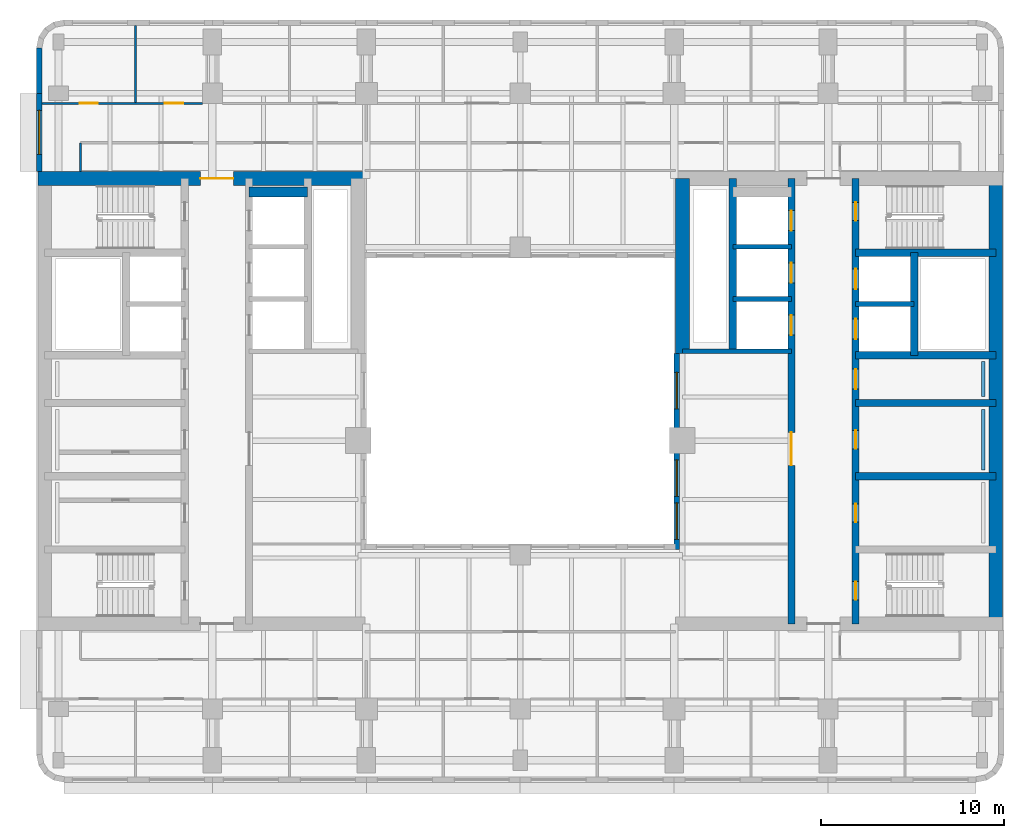
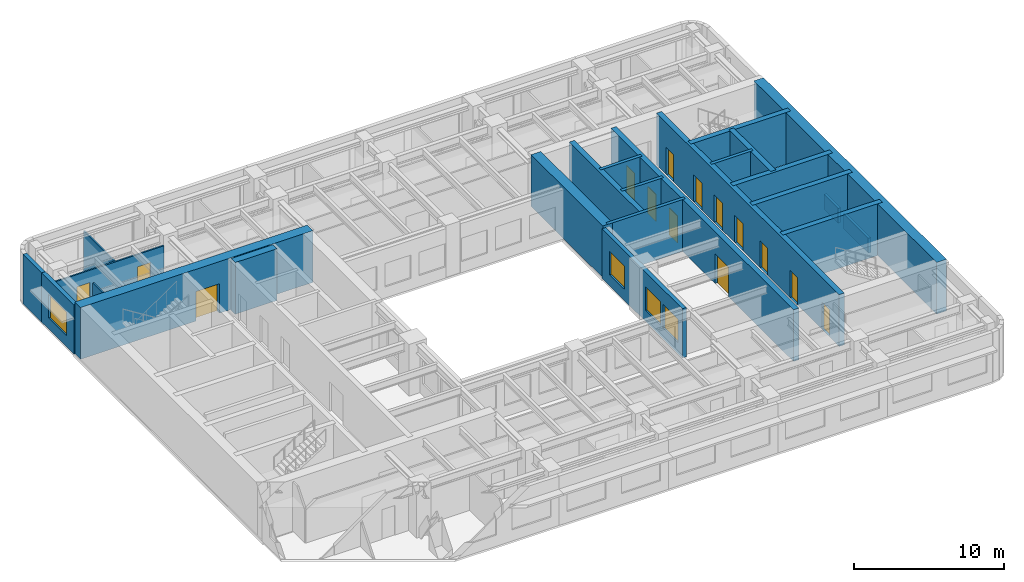
# One storey, part 6 of 11: 24 walls, 14 doors, 4 windows, 18 openings.
"""IFC4 building model written with IfcOpenShell, lengths in metres."""

from ifc_helpers import new_model, si_unit, direction, frame, frame_2d, origin, place, context, subcontext, project, spatial, rectangle, extrude, material, layer, layer_set, type_object, element, fill, save


model = new_model("IFC4")

# Units and contexts
model_context = context("Model", 3, precision=1e-05, world=origin(), true_north=direction((0.0, 1.0)))
body_context = subcontext(model_context, "Body", "Model", "MODEL_VIEW")
ifc_project = project(units=[si_unit("LENGTHUNIT", "METRE"), si_unit("AREAUNIT", "SQUARE_METRE"), si_unit("VOLUMEUNIT", "CUBIC_METRE"), si_unit("PLANEANGLEUNIT", "RADIAN"), si_unit("MASSUNIT", "GRAM", prefix="KILO")], contexts=[model_context])

# Site, building, storey
site_placement = place(None, origin())
site = spatial("IfcSite", under=ifc_project, at=site_placement, CompositionType="ELEMENT")
building_placement = place(site_placement, origin())
building = spatial("IfcBuilding", under=site, at=building_placement, Name="Claustro Exchange Tower", CompositionType="ELEMENT")
storey_placement = place(building_placement, frame((0.0, 0.0, 240.60009765625)))
storey = spatial("IfcBuildingStorey", under=building, at=storey_placement, Name="L55", CompositionType="ELEMENT", Elevation=240.60009765625)

# Wall, openings, doors
ifc_material_1 = material(Name="Laminated glass in aluminium frame", Category="aluminium")
ifc_layer_1 = layer(ifc_material_1, 0.1201171875)
ifc_layer_set_1 = layer_set([ifc_layer_1], Name="Laminated glass in aluminium frame")
wall_type_1 = type_object("IfcWallType", Name="P2 120 glazed partition", PredefinedType="PARTITIONING", material=ifc_layer_set_1)
wall_1_placement = place(storey_placement, frame((-0.902099609375, 41.449951171875, 0.0), z_axis=(0.0, 0.0, 1.0), x_axis=(1.0, 0.0, 0.0)))
wall_1 = element("IfcWall", 1, at=wall_1_placement, inside=storey, type_object=wall_type_1, Name="Partition P2 L55", PredefinedType="PARTITIONING", context=body_context, shape_type="SweptSolid", body=[
    extrude(rectangle(XDim=8.751220703125, YDim=0.1201171875, at=frame_2d((4.37548828125, 0.0))), origin(), (0.0, 0.0, 1.0), 3.39990234375),
])
opening_1_placement = place(wall_1_placement, frame((2.052001953125, 0.0, 0.0)))
opening_1 = element("IfcOpeningElement", 2, at=opening_1_placement, cuts=wall_1, Name="Opening D7", PredefinedType="OPENING", context=body_context, shape_type="SweptSolid", body=[
    extrude(rectangle(XDim=1.0, YDim=2.39990234375, at=frame_2d((0.5, 1.199951171875))), frame((0.0, 0.070068359375, 0.0), z_axis=(0.0, -1.0, 0.0), x_axis=(1.0, 0.0, 0.0)), (0.0, 0.0, 1.0), 0.14013671875),
])
opening_2_placement = place(wall_1_placement, frame((6.701904296875, 0.0, 0.0)))
opening_2 = element("IfcOpeningElement", 3, at=opening_2_placement, cuts=wall_1, Name="Opening D7", PredefinedType="OPENING", context=body_context, shape_type="SweptSolid", body=[
    extrude(rectangle(XDim=1.0, YDim=2.39990234375, at=frame_2d((0.5, 1.199951171875))), frame((0.0, 0.070068359375, 0.0), z_axis=(0.0, -1.0, 0.0), x_axis=(1.0, 0.0, 0.0)), (0.0, 0.0, 1.0), 0.14013671875),
])
ifc_material_2 = material(Name="Glass door in aluminium frame", Category="aluminium")
door_type_1 = type_object("IfcDoorType", Name="D7 1000 x 2400 glazed door", OperationType="SINGLE_SWING_LEFT", PredefinedType="DOOR", material=ifc_material_2)
door_1_placement = place(opening_1_placement, origin())
door_1 = element("IfcDoor", 4, at=door_1_placement, inside=storey, type_object=door_type_1, Name="Door D7 L55", OperationType="SINGLE_SWING_RIGHT", OverallHeight=2.39990234375, OverallWidth=1.0, PredefinedType="DOOR", context=body_context, shape_type="SweptSolid", body=[
    extrude(rectangle(XDim=1.0, YDim=2.39990234375, at=frame_2d((0.5, 1.199951171875))), frame((0.0, 0.02490234375, 0.0), z_axis=(0.0, -1.0, 0.0), x_axis=(1.0, 0.0, 0.0)), (0.0, 0.0, 1.0), 0.050048828125),
])
fill(opening_1, door_1)
door_2_placement = place(opening_2_placement, origin())
door_2 = element("IfcDoor", 5, at=door_2_placement, inside=storey, type_object=door_type_1, Name="Door D7 L55", OperationType="SINGLE_SWING_LEFT", OverallHeight=2.39990234375, OverallWidth=1.0, PredefinedType="DOOR", context=body_context, shape_type="SweptSolid", body=[
    extrude(rectangle(XDim=1.0, YDim=2.39990234375, at=frame_2d((0.5, 1.199951171875))), frame((0.0, 0.02490234375, 0.0), z_axis=(0.0, -1.0, 0.0), x_axis=(1.0, 0.0, 0.0)), (0.0, 0.0, 1.0), 0.050048828125),
])
fill(opening_2, door_2)

# Walls
wall_2_placement = place(storey_placement, frame((4.199951171875, 41.508056640625, 0.0), z_axis=(0.0, 0.0, 1.0), x_axis=(0.0, 1.0, 0.0)))
element("IfcWall", 6, at=wall_2_placement, inside=storey, type_object=wall_type_1, Name="Partition P2 L55", PredefinedType="PARTITIONING", context=body_context, shape_type="SweptSolid", body=[
    extrude(rectangle(XDim=4.19384765625, YDim=0.1201171875, at=frame_2d((2.096923828125, 0.0))), origin(), (0.0, 0.0, 1.0), 3.2998046875),
])
wall_3_placement = place(storey_placement, frame((1.199951171875, 37.72412109375, 0.0), z_axis=(0.0, 0.0, 1.0), x_axis=(0.0, 1.0, 0.0)))
element("IfcWall", 7, at=wall_3_placement, inside=storey, type_object=wall_type_1, Name="Partition P2 L55", PredefinedType="PARTITIONING", context=body_context, shape_type="SweptSolid", body=[
    extrude(rectangle(XDim=1.575927734375, YDim=0.1201171875, at=frame_2d((0.7880859375, 0.0))), origin(), (0.0, 0.0, 1.0), 4.0),
])

# Wall, opening, window
ifc_material_3 = material(Name="Concrete HA-40 (C40/50), precast, white cement, acid-etched", Category="concrete")
ifc_layer_2 = layer(ifc_material_3, 0.300048828125)
ifc_layer_set_2 = layer_set([ifc_layer_2], Name="Concrete HA-40 (C40/50), precast, white cement, acid-etched")
wall_type_2 = type_object("IfcWallType", Name="PC1 300 precast concrete pier panel", PredefinedType="SOLIDWALL", material=ifc_layer_set_2)
wall_4_placement = place(storey_placement, frame((-1.050048828125, 37.72509765625, 0.0), z_axis=(0.0, 0.0, 1.0), x_axis=(0.0, 1.0, 0.0)))
wall_4 = element("IfcWall", 8, at=wall_4_placement, inside=storey, type_object=wall_type_2, Name="Precast pier panel PC1 L55", PredefinedType="SOLIDWALL", context=body_context, shape_type="SweptSolid", body=[
    extrude(rectangle(XDim=4.27490234375, YDim=0.300048828125, at=frame_2d((2.137451171875, 0.0))), origin(), (0.0, 0.0, 1.0), 4.0),
])
opening_3_placement = place(wall_4_placement, frame((0.9375, 0.0, 0.89990234375)))
opening_3 = element("IfcOpeningElement", 9, at=opening_3_placement, cuts=wall_4, Name="Opening W2", PredefinedType="OPENING", context=body_context, shape_type="SweptSolid", body=[
    extrude(rectangle(XDim=2.39990234375, YDim=1.89990234375, at=frame_2d((1.199951171875, 0.949951171875))), frame((0.0, 0.159912109375, 0.0), z_axis=(0.0, -1.0, 0.0), x_axis=(1.0, 0.0, 0.0)), (0.0, 0.0, 1.0), 0.320068359375),
])
ifc_material_4 = material(Name="Aluminium frame, clear double glazing", Category="aluminium")
window_type_1 = type_object("IfcWindowType", Name="W2 2400 x 1900 window", PartitioningType="SINGLE_PANEL", PredefinedType="WINDOW", material=ifc_material_4)
window_1_placement = place(opening_3_placement, origin())
window_1 = element("IfcWindow", 10, at=window_1_placement, inside=storey, type_object=window_type_1, Name="Window W2 L55", OverallHeight=1.89990234375, OverallWidth=2.39990234375, PartitioningType="SINGLE_PANEL", PredefinedType="WINDOW", context=body_context, shape_type="SweptSolid", body=[
    extrude(rectangle(XDim=2.39990234375, YDim=1.89990234375, at=frame_2d((1.199951171875, 0.949951171875))), frame((0.0, 0.030029296875, 0.0), z_axis=(0.0, -1.0, 0.0), x_axis=(1.0, 0.0, 0.0)), (0.0, 0.0, 1.0), 0.06005859375),
])
fill(opening_3, window_1)

# Wall
wall_5_placement = place(storey_placement, frame((-1.050048828125, 42.0, 0.0), z_axis=(0.0, 0.0, 1.0), x_axis=(0.0, 1.0, 0.0)))
element("IfcWall", 11, at=wall_5_placement, inside=storey, type_object=wall_type_2, Name="Precast pier panel PC1 L55", PredefinedType="SOLIDWALL", context=body_context, shape_type="SweptSolid", body=[
    extrude(rectangle(XDim=2.485107421875, YDim=0.300048828125, at=frame_2d((1.24267578125, 0.0))), origin(), (0.0, 0.0, 1.0), 4.0),
])

# Wall, openings, windows
wall_6_placement = place(storey_placement, frame((33.75, 17.10009765625, 0.0), z_axis=(0.0, 0.0, 1.0), x_axis=(0.0, 1.0, 0.0)))
wall_6 = element("IfcWall", 12, at=wall_6_placement, inside=storey, type_object=wall_type_2, Name="Precast pier panel PC1 L55", PredefinedType="SOLIDWALL", context=body_context, shape_type="SweptSolid", body=[
    extrude(rectangle(XDim=10.699951171875, YDim=0.300048828125, at=frame_2d((5.35009765625, 0.0))), origin(), (0.0, 0.0, 1.0), 4.0),
])
opening_4_placement = place(wall_6_placement, frame((0.550048828125, 0.0, 0.89990234375)))
opening_4 = element("IfcOpeningElement", 13, at=opening_4_placement, cuts=wall_6, Name="Opening W4", PredefinedType="OPENING", context=body_context, shape_type="SweptSolid", body=[
    extrude(rectangle(XDim=2.0, YDim=1.89990234375, at=frame_2d((1.0, 0.949951171875))), frame((0.0, 0.159912109375, 0.0), z_axis=(0.0, -1.0, 0.0), x_axis=(1.0, 0.0, 0.0)), (0.0, 0.0, 1.0), 0.320068359375),
])
opening_5_placement = place(wall_6_placement, frame((2.89990234375, 0.0, 0.89990234375)))
opening_5 = element("IfcOpeningElement", 14, at=opening_5_placement, cuts=wall_6, Name="Opening W4", PredefinedType="OPENING", context=body_context, shape_type="SweptSolid", body=[
    extrude(rectangle(XDim=2.0, YDim=1.89990234375, at=frame_2d((1.0, 0.949951171875))), frame((0.0, 0.159912109375, 0.0), z_axis=(0.0, -1.0, 0.0), x_axis=(1.0, 0.0, 0.0)), (0.0, 0.0, 1.0), 0.320068359375),
])
opening_6_placement = place(wall_6_placement, frame((7.675048828125, 0.0, 0.89990234375)))
opening_6 = element("IfcOpeningElement", 15, at=opening_6_placement, cuts=wall_6, Name="Opening W4", PredefinedType="OPENING", context=body_context, shape_type="SweptSolid", body=[
    extrude(rectangle(XDim=2.0, YDim=1.89990234375, at=frame_2d((1.0, 0.949951171875))), frame((0.0, 0.159912109375, 0.0), z_axis=(0.0, -1.0, 0.0), x_axis=(1.0, 0.0, 0.0)), (0.0, 0.0, 1.0), 0.320068359375),
])
ifc_material_5 = material(Name="Aluminium frame, clear double glazing", Category="aluminium")
window_type_2 = type_object("IfcWindowType", Name="W4 2000 x 1900 light well window", PartitioningType="SINGLE_PANEL", PredefinedType="WINDOW", material=ifc_material_5)
window_2_placement = place(opening_4_placement, origin())
window_2 = element("IfcWindow", 16, at=window_2_placement, inside=storey, type_object=window_type_2, Name="Window W4 L55", OverallHeight=1.89990234375, OverallWidth=2.0, PartitioningType="SINGLE_PANEL", PredefinedType="WINDOW", context=body_context, shape_type="SweptSolid", body=[
    extrude(rectangle(XDim=2.0, YDim=1.89990234375, at=frame_2d((1.0, 0.949951171875))), frame((0.0, 0.030029296875, 0.0), z_axis=(0.0, -1.0, 0.0), x_axis=(1.0, 0.0, 0.0)), (0.0, 0.0, 1.0), 0.06005859375),
])
fill(opening_4, window_2)
window_3_placement = place(opening_5_placement, origin())
window_3 = element("IfcWindow", 17, at=window_3_placement, inside=storey, type_object=window_type_2, Name="Window W4 L55", OverallHeight=1.89990234375, OverallWidth=2.0, PartitioningType="SINGLE_PANEL", PredefinedType="WINDOW", context=body_context, shape_type="SweptSolid", body=[
    extrude(rectangle(XDim=2.0, YDim=1.89990234375, at=frame_2d((1.0, 0.949951171875))), frame((0.0, 0.030029296875, 0.0), z_axis=(0.0, -1.0, 0.0), x_axis=(1.0, 0.0, 0.0)), (0.0, 0.0, 1.0), 0.06005859375),
])
fill(opening_5, window_3)
window_4_placement = place(opening_6_placement, origin())
window_4 = element("IfcWindow", 18, at=window_4_placement, inside=storey, type_object=window_type_2, Name="Window W4 L55", OverallHeight=1.89990234375, OverallWidth=2.0, PartitioningType="SINGLE_PANEL", PredefinedType="WINDOW", context=body_context, shape_type="SweptSolid", body=[
    extrude(rectangle(XDim=2.0, YDim=1.89990234375, at=frame_2d((1.0, 0.949951171875))), frame((0.0, 0.030029296875, 0.0), z_axis=(0.0, -1.0, 0.0), x_axis=(1.0, 0.0, 0.0)), (0.0, 0.0, 1.0), 0.06005859375),
])
fill(opening_6, window_4)

# Walls
ifc_material_6 = material(Name="Gypsum board on steel studs, tiled", Category="steel")
ifc_layer_3 = layer(ifc_material_6, 0.199951171875)
ifc_layer_set_3 = layer_set([ifc_layer_3], Name="Gypsum board on steel studs, tiled")
wall_type_3 = type_object("IfcWallType", Name="PW1 200 WC duct wall", PredefinedType="PLUMBINGWALL", material=ifc_layer_set_3)
wall_7_placement = place(storey_placement, frame((50.47509765625, 21.449951171875, 0.0), z_axis=(0.0, 0.0, 1.0), x_axis=(0.0, 1.0, 0.0)))
element("IfcWall", 19, at=wall_7_placement, inside=storey, type_object=wall_type_3, Name="WC duct wall PW1 L55", PredefinedType="PLUMBINGWALL", context=body_context, shape_type="SweptSolid", body=[
    extrude(rectangle(XDim=3.300048828125, YDim=0.199951171875, at=frame_2d((1.64990234375, 0.0))), origin(), (0.0, 0.0, 1.0), 1.199951171875),
])
wall_8_placement = place(storey_placement, frame((50.47509765625, 25.449951171875, 0.0), z_axis=(0.0, 0.0, 1.0), x_axis=(0.0, 1.0, 0.0)))
element("IfcWall", 20, at=wall_8_placement, inside=storey, type_object=wall_type_3, Name="WC duct wall PW1 L55", PredefinedType="PLUMBINGWALL", context=body_context, shape_type="SweptSolid", body=[
    extrude(rectangle(XDim=1.900146484375, YDim=0.199951171875, at=frame_2d((0.9501953125, 0.0))), origin(), (0.0, 0.0, 1.0), 1.199951171875),
])

# Wall, opening, door
ifc_material_7 = material(Name="Concrete HA-70 (C70/85)", Category="concrete")
ifc_layer_4 = layer(ifc_material_7, 0.75)
ifc_layer_set_4 = layer_set([ifc_layer_4], Name="Concrete HA-70 (C70/85)")
wall_type_4 = type_object("IfcWallType", Name="SW2 750 core shear wall", PredefinedType="SHEAR", material=ifc_layer_set_4)
wall_9_placement = place(storey_placement, frame((-1.125, 37.35009765625, 0.0), z_axis=(0.0, 0.0, 1.0), x_axis=(1.0, 0.0, 0.0)))
wall_9 = element("IfcWall", 21, at=wall_9_placement, inside=storey, type_object=wall_type_4, Name="Core wall SW2 W core N face L55", PredefinedType="SHEAR", context=body_context, shape_type="SweptSolid", body=[
    extrude(rectangle(XDim=17.85009765625, YDim=0.75, at=frame_2d((8.925048828125, 0.0))), origin(), (0.0, 0.0, 1.0), 4.199951171875),
])
opening_7_placement = place(wall_9_placement, frame((8.875, 0.0, 0.0)))
opening_7 = element("IfcOpeningElement", 22, at=opening_7_placement, cuts=wall_9, Name="Opening D3", PredefinedType="OPENING", context=body_context, shape_type="SweptSolid", body=[
    extrude(rectangle(XDim=1.800048828125, YDim=2.39990234375, at=frame_2d((0.89990234375, 1.199951171875))), frame((0.0, 0.385009765625, 0.0), z_axis=(0.0, -1.0, 0.0), x_axis=(1.0, 0.0, 0.0)), (0.0, 0.0, 1.0), 0.77001953125),
])
ifc_material_8 = material(Name="Steel fire door, painted", Category="steel")
door_type_2 = type_object("IfcDoorType", Name="D3 1800 x 2400 fire-rated lobby double door", OperationType="DOUBLE_DOOR_SINGLE_SWING", PredefinedType="DOOR", material=ifc_material_8)
door_3_placement = place(opening_7_placement, frame((1.800048828125, 0.0, 0.0), z_axis=(0.0, 0.0, 1.0), x_axis=(-1.0, 0.0, 0.0)))
door_3 = element("IfcDoor", 23, at=door_3_placement, inside=storey, type_object=door_type_2, Name="Lift lobby door D3 L55", OperationType="DOUBLE_DOOR_SINGLE_SWING", OverallHeight=2.39990234375, OverallWidth=1.800048828125, PredefinedType="DOOR", context=body_context, shape_type="SweptSolid", body=[
    extrude(rectangle(XDim=1.800048828125, YDim=2.39990234375, at=frame_2d((0.89990234375, 1.199951171875))), frame((0.0, 0.02490234375, 0.0), z_axis=(0.0, -1.0, 0.0), x_axis=(1.0, 0.0, 0.0)), (0.0, 0.0, 1.0), 0.050048828125),
])
fill(opening_7, door_3)

# Walls
ifc_material_9 = material(Name="Concrete HA-70 (C70/85)", Category="concrete")
ifc_layer_5 = layer(ifc_material_9, 0.75)
ifc_layer_set_5 = layer_set([ifc_layer_5], Name="Concrete HA-70 (C70/85)")
wall_type_5 = type_object("IfcWallType", Name="SW2X 750 exposed core shear wall, board-marked face", PredefinedType="SHEAR", material=ifc_layer_set_5)
wall_10_placement = place(storey_placement, frame((34.050048828125, 27.800048828125, 0.0), z_axis=(0.0, 0.0, 1.0), x_axis=(0.0, 1.0, 0.0)))
element("IfcWall", 24, at=wall_10_placement, inside=storey, type_object=wall_type_5, Name="Core wall SW2X E core W face L55", PredefinedType="SHEAR", context=body_context, shape_type="SweptSolid", body=[
    extrude(rectangle(XDim=9.550048828125, YDim=0.75, at=frame_2d((4.77490234375, 0.0))), origin(), (0.0, 0.0, 1.0), 4.199951171875),
])
wall_11_placement = place(storey_placement, frame((51.14990234375, 13.050048828125, 0.0), z_axis=(0.0, 0.0, 1.0), x_axis=(0.0, 1.0, 0.0)))
element("IfcWall", 25, at=wall_11_placement, inside=storey, type_object=wall_type_5, Name="Core wall SW2X E core E face L55", PredefinedType="SHEAR", context=body_context, shape_type="SweptSolid", body=[
    extrude(rectangle(XDim=24.300048828125, YDim=0.75, at=frame_2d((12.14990234375, 0.0))), origin(), (0.0, 0.0, 1.0), 4.199951171875),
])

# Wall, openings, doors
ifc_material_10 = material(Name="Concrete HA-50 (C50/60)", Category="concrete")
ifc_layer_6 = layer(ifc_material_10, 0.39990234375)
ifc_layer_set_6 = layer_set([ifc_layer_6], Name="Concrete HA-50 (C50/60)")
wall_type_6 = type_object("IfcWallType", Name="SW4 400 internal core wall", PredefinedType="SHEAR", material=ifc_layer_set_6)
wall_12_placement = place(storey_placement, frame((43.5, 13.050048828125, 0.0), z_axis=(0.0, 0.0, 1.0), x_axis=(0.0, 1.0, 0.0)))
wall_12 = element("IfcWall", 26, at=wall_12_placement, inside=storey, type_object=wall_type_6, Name="Internal core wall SW4 E core L55", PredefinedType="SHEAR", context=body_context, shape_type="SweptSolid", body=[
    extrude(rectangle(XDim=24.300048828125, YDim=0.39990234375, at=frame_2d((12.14990234375, 0.0))), origin(), (0.0, 0.0, 1.0), 4.199951171875),
])
opening_8_placement = place(wall_12_placement, frame((1.300048828125, 0.0, 0.0)))
opening_8 = element("IfcOpeningElement", 27, at=opening_8_placement, cuts=wall_12, Name="Opening D4", PredefinedType="OPENING", context=body_context, shape_type="SweptSolid", body=[
    extrude(rectangle(XDim=1.0, YDim=2.199951171875, at=frame_2d((0.5, 1.10009765625))), frame((0.0, 0.2099609375, 0.0), z_axis=(0.0, -1.0, 0.0), x_axis=(1.0, 0.0, 0.0)), (0.0, 0.0, 1.0), 0.419921875),
])
opening_9_placement = place(wall_12_placement, frame((22.0, 0.0, 0.0)))
opening_9 = element("IfcOpeningElement", 28, at=opening_9_placement, cuts=wall_12, Name="Opening D4", PredefinedType="OPENING", context=body_context, shape_type="SweptSolid", body=[
    extrude(rectangle(XDim=1.0, YDim=2.199951171875, at=frame_2d((0.5, 1.10009765625))), frame((0.0, 0.2099609375, 0.0), z_axis=(0.0, -1.0, 0.0), x_axis=(1.0, 0.0, 0.0)), (0.0, 0.0, 1.0), 0.419921875),
])
opening_10_placement = place(wall_12_placement, frame((5.550048828125, 0.0, 0.0)))
opening_10 = element("IfcOpeningElement", 29, at=opening_10_placement, cuts=wall_12, Name="Opening D1", PredefinedType="OPENING", context=body_context, shape_type="SweptSolid", body=[
    extrude(rectangle(XDim=1.0, YDim=2.199951171875, at=frame_2d((0.5, 1.10009765625))), frame((0.0, 0.2099609375, 0.0), z_axis=(0.0, -1.0, 0.0), x_axis=(1.0, 0.0, 0.0)), (0.0, 0.0, 1.0), 0.419921875),
])
opening_11_placement = place(wall_12_placement, frame((9.550048828125, 0.0, 0.0)))
opening_11 = element("IfcOpeningElement", 30, at=opening_11_placement, cuts=wall_12, Name="Opening D1", PredefinedType="OPENING", context=body_context, shape_type="SweptSolid", body=[
    extrude(rectangle(XDim=1.0, YDim=2.199951171875, at=frame_2d((0.5, 1.10009765625))), frame((0.0, 0.2099609375, 0.0), z_axis=(0.0, -1.0, 0.0), x_axis=(1.0, 0.0, 0.0)), (0.0, 0.0, 1.0), 0.419921875),
])
opening_12_placement = place(wall_12_placement, frame((12.800048828125, 0.0, 0.0)))
opening_12 = element("IfcOpeningElement", 31, at=opening_12_placement, cuts=wall_12, Name="Opening D10", PredefinedType="OPENING", context=body_context, shape_type="SweptSolid", body=[
    extrude(rectangle(XDim=1.10009765625, YDim=2.199951171875, at=frame_2d((0.550048828125, 1.10009765625))), frame((0.0, 0.2099609375, 0.0), z_axis=(0.0, -1.0, 0.0), x_axis=(1.0, 0.0, 0.0)), (0.0, 0.0, 1.0), 0.419921875),
])
opening_13_placement = place(wall_12_placement, frame((15.53759765625, 0.0, 0.0)))
opening_13 = element("IfcOpeningElement", 32, at=opening_13_placement, cuts=wall_12, Name="Opening LD", PredefinedType="OPENING", context=body_context, shape_type="SweptSolid", body=[
    extrude(rectangle(XDim=1.10009765625, YDim=2.199951171875, at=frame_2d((0.550048828125, 1.10009765625))), frame((0.0, 0.2099609375, 0.0), z_axis=(0.0, -1.0, 0.0), x_axis=(1.0, 0.0, 0.0)), (0.0, 0.0, 1.0), 0.419921875),
])
opening_14_placement = place(wall_12_placement, frame((18.262451171875, 0.0, 0.0)))
opening_14 = element("IfcOpeningElement", 33, at=opening_14_placement, cuts=wall_12, Name="Opening LD", PredefinedType="OPENING", context=body_context, shape_type="SweptSolid", body=[
    extrude(rectangle(XDim=1.10009765625, YDim=2.199951171875, at=frame_2d((0.550048828125, 1.10009765625))), frame((0.0, 0.2099609375, 0.0), z_axis=(0.0, -1.0, 0.0), x_axis=(1.0, 0.0, 0.0)), (0.0, 0.0, 1.0), 0.419921875),
])
ifc_material_11 = material(Name="Timber door, oak veneer", Category="wood")
door_type_3 = type_object("IfcDoorType", Name="D1 1000 x 2200 single door", OperationType="SINGLE_SWING_LEFT", PredefinedType="DOOR", material=ifc_material_11)
door_4_placement = place(opening_10_placement, frame((1.0, 0.0, 0.0), z_axis=(0.0, 0.0, 1.0), x_axis=(-1.0, 0.0, 0.0)))
door_4 = element("IfcDoor", 34, at=door_4_placement, inside=storey, type_object=door_type_3, Name="Door D1 L55", OperationType="SINGLE_SWING_LEFT", OverallHeight=2.199951171875, OverallWidth=1.0, PredefinedType="DOOR", context=body_context, shape_type="SweptSolid", body=[
    extrude(rectangle(XDim=1.0, YDim=2.199951171875, at=frame_2d((0.5, 1.10009765625))), frame((0.0, 0.02490234375, 0.0), z_axis=(0.0, -1.0, 0.0), x_axis=(1.0, 0.0, 0.0)), (0.0, 0.0, 1.0), 0.050048828125),
])
fill(opening_10, door_4)
door_5_placement = place(opening_11_placement, frame((1.0, 0.0, 0.0), z_axis=(0.0, 0.0, 1.0), x_axis=(-1.0, 0.0, 0.0)))
door_5 = element("IfcDoor", 35, at=door_5_placement, inside=storey, type_object=door_type_3, Name="Door D1 L55", OperationType="SINGLE_SWING_LEFT", OverallHeight=2.199951171875, OverallWidth=1.0, PredefinedType="DOOR", context=body_context, shape_type="SweptSolid", body=[
    extrude(rectangle(XDim=1.0, YDim=2.199951171875, at=frame_2d((0.5, 1.10009765625))), frame((0.0, 0.02490234375, 0.0), z_axis=(0.0, -1.0, 0.0), x_axis=(1.0, 0.0, 0.0)), (0.0, 0.0, 1.0), 0.050048828125),
])
fill(opening_11, door_5)
ifc_material_12 = material(Name="Timber door, oak veneer", Category="wood")
door_type_4 = type_object("IfcDoorType", Name="D10 1100 x 2200 accessible WC door", OperationType="SINGLE_SWING_LEFT", PredefinedType="DOOR", material=ifc_material_12)
door_6_placement = place(opening_12_placement, origin())
door_6 = element("IfcDoor", 36, at=door_6_placement, inside=storey, type_object=door_type_4, Name="Accessible WC door D10 L55", OperationType="SINGLE_SWING_RIGHT", OverallHeight=2.199951171875, OverallWidth=1.10009765625, PredefinedType="DOOR", context=body_context, shape_type="SweptSolid", body=[
    extrude(rectangle(XDim=1.10009765625, YDim=2.199951171875, at=frame_2d((0.550048828125, 1.10009765625))), frame((0.0, 0.02490234375, 0.0), z_axis=(0.0, -1.0, 0.0), x_axis=(1.0, 0.0, 0.0)), (0.0, 0.0, 1.0), 0.050048828125),
])
fill(opening_12, door_6)
ifc_material_13 = material(Name="Steel fire door, painted", Category="steel")
door_type_5 = type_object("IfcDoorType", Name="D4 1000 x 2200 fire-rated stair door", OperationType="SINGLE_SWING_LEFT", PredefinedType="DOOR", material=ifc_material_13)
door_7_placement = place(opening_8_placement, frame((1.0, 0.0, 0.0), z_axis=(0.0, 0.0, 1.0), x_axis=(-1.0, 0.0, 0.0)))
door_7 = element("IfcDoor", 37, at=door_7_placement, inside=storey, type_object=door_type_5, Name="Stair door D4 L55", OperationType="SINGLE_SWING_RIGHT", OverallHeight=2.199951171875, OverallWidth=1.0, PredefinedType="DOOR", context=body_context, shape_type="SweptSolid", body=[
    extrude(rectangle(XDim=1.0, YDim=2.199951171875, at=frame_2d((0.5, 1.10009765625))), frame((0.0, 0.02490234375, 0.0), z_axis=(0.0, -1.0, 0.0), x_axis=(1.0, 0.0, 0.0)), (0.0, 0.0, 1.0), 0.050048828125),
])
fill(opening_8, door_7)
door_8_placement = place(opening_9_placement, frame((1.0, 0.0, 0.0), z_axis=(0.0, 0.0, 1.0), x_axis=(-1.0, 0.0, 0.0)))
door_8 = element("IfcDoor", 38, at=door_8_placement, inside=storey, type_object=door_type_5, Name="Stair door D4 L55", OperationType="SINGLE_SWING_LEFT", OverallHeight=2.199951171875, OverallWidth=1.0, PredefinedType="DOOR", context=body_context, shape_type="SweptSolid", body=[
    extrude(rectangle(XDim=1.0, YDim=2.199951171875, at=frame_2d((0.5, 1.10009765625))), frame((0.0, 0.02490234375, 0.0), z_axis=(0.0, -1.0, 0.0), x_axis=(1.0, 0.0, 0.0)), (0.0, 0.0, 1.0), 0.050048828125),
])
fill(opening_9, door_8)
ifc_material_14 = material(Name="Stainless steel sliding door", Category="steel")
door_type_6 = type_object("IfcDoorType", Name="LD 1100 x 2200 lift landing door", OperationType="DOUBLE_DOOR_SLIDING", PredefinedType="DOOR", material=ifc_material_14)
door_9_placement = place(opening_13_placement, origin())
door_9 = element("IfcDoor", 39, at=door_9_placement, inside=storey, type_object=door_type_6, Name="Lift landing door LEE1 LD L55", OperationType="DOUBLE_DOOR_SLIDING", OverallHeight=2.199951171875, OverallWidth=1.10009765625, PredefinedType="DOOR", context=body_context, shape_type="SweptSolid", body=[
    extrude(rectangle(XDim=1.10009765625, YDim=2.199951171875, at=frame_2d((0.550048828125, 1.10009765625))), frame((0.0, 0.02490234375, 0.0), z_axis=(0.0, -1.0, 0.0), x_axis=(1.0, 0.0, 0.0)), (0.0, 0.0, 1.0), 0.050048828125),
])
fill(opening_13, door_9)
door_10_placement = place(opening_14_placement, origin())
door_10 = element("IfcDoor", 40, at=door_10_placement, inside=storey, type_object=door_type_6, Name="Lift landing door LEE2 LD L55", OperationType="DOUBLE_DOOR_SLIDING", OverallHeight=2.199951171875, OverallWidth=1.10009765625, PredefinedType="DOOR", context=body_context, shape_type="SweptSolid", body=[
    extrude(rectangle(XDim=1.10009765625, YDim=2.199951171875, at=frame_2d((0.550048828125, 1.10009765625))), frame((0.0, 0.02490234375, 0.0), z_axis=(0.0, -1.0, 0.0), x_axis=(1.0, 0.0, 0.0)), (0.0, 0.0, 1.0), 0.050048828125),
])
fill(opening_14, door_10)

wall_13_placement = place(storey_placement, frame((40.0, 13.050048828125, 0.0), z_axis=(0.0, 0.0, 1.0), x_axis=(0.0, 1.0, 0.0)))
wall_13 = element("IfcWall", 41, at=wall_13_placement, inside=storey, type_object=wall_type_6, Name="Internal core wall SW4 E core L55", PredefinedType="SHEAR", context=body_context, shape_type="SweptSolid", body=[
    extrude(rectangle(XDim=24.300048828125, YDim=0.39990234375, at=frame_2d((12.14990234375, 0.0))), origin(), (0.0, 0.0, 1.0), 4.199951171875),
])
opening_15_placement = place(wall_13_placement, frame((15.75, 0.0, 0.0)))
opening_15 = element("IfcOpeningElement", 42, at=opening_15_placement, cuts=wall_13, Name="Opening LD", PredefinedType="OPENING", context=body_context, shape_type="SweptSolid", body=[
    extrude(rectangle(XDim=1.10009765625, YDim=2.199951171875, at=frame_2d((0.550048828125, 1.10009765625))), frame((0.0, 0.2099609375, 0.0), z_axis=(0.0, -1.0, 0.0), x_axis=(1.0, 0.0, 0.0)), (0.0, 0.0, 1.0), 0.419921875),
])
opening_16_placement = place(wall_13_placement, frame((18.60009765625, 0.0, 0.0)))
opening_16 = element("IfcOpeningElement", 43, at=opening_16_placement, cuts=wall_13, Name="Opening LD", PredefinedType="OPENING", context=body_context, shape_type="SweptSolid", body=[
    extrude(rectangle(XDim=1.10009765625, YDim=2.199951171875, at=frame_2d((0.550048828125, 1.10009765625))), frame((0.0, 0.2099609375, 0.0), z_axis=(0.0, -1.0, 0.0), x_axis=(1.0, 0.0, 0.0)), (0.0, 0.0, 1.0), 0.419921875),
])
opening_17_placement = place(wall_13_placement, frame((21.449951171875, 0.0, 0.0)))
opening_17 = element("IfcOpeningElement", 44, at=opening_17_placement, cuts=wall_13, Name="Opening LD", PredefinedType="OPENING", context=body_context, shape_type="SweptSolid", body=[
    extrude(rectangle(XDim=1.10009765625, YDim=2.199951171875, at=frame_2d((0.550048828125, 1.10009765625))), frame((0.0, 0.2099609375, 0.0), z_axis=(0.0, -1.0, 0.0), x_axis=(1.0, 0.0, 0.0)), (0.0, 0.0, 1.0), 0.419921875),
])
opening_18_placement = place(wall_13_placement, frame((8.64990234375, 0.0, 0.0)))
opening_18 = element("IfcOpeningElement", 45, at=opening_18_placement, cuts=wall_13, Name="Opening D3", PredefinedType="OPENING", context=body_context, shape_type="SweptSolid", body=[
    extrude(rectangle(XDim=1.800048828125, YDim=2.39990234375, at=frame_2d((0.89990234375, 1.199951171875))), frame((0.0, 0.2099609375, 0.0), z_axis=(0.0, -1.0, 0.0), x_axis=(1.0, 0.0, 0.0)), (0.0, 0.0, 1.0), 0.419921875),
])
door_11_placement = place(opening_18_placement, origin())
door_11 = element("IfcDoor", 46, at=door_11_placement, inside=storey, type_object=door_type_2, Name="Core zone door D3 L55", OperationType="DOUBLE_DOOR_SINGLE_SWING", OverallHeight=2.39990234375, OverallWidth=1.800048828125, PredefinedType="DOOR", context=body_context, shape_type="SweptSolid", body=[
    extrude(rectangle(XDim=1.800048828125, YDim=2.39990234375, at=frame_2d((0.89990234375, 1.199951171875))), frame((0.0, 0.02490234375, 0.0), z_axis=(0.0, -1.0, 0.0), x_axis=(1.0, 0.0, 0.0)), (0.0, 0.0, 1.0), 0.050048828125),
])
fill(opening_18, door_11)
door_12_placement = place(opening_15_placement, origin())
door_12 = element("IfcDoor", 47, at=door_12_placement, inside=storey, type_object=door_type_6, Name="Lift landing door LHE1 LD L55", OperationType="DOUBLE_DOOR_SLIDING", OverallHeight=2.199951171875, OverallWidth=1.10009765625, PredefinedType="DOOR", context=body_context, shape_type="SweptSolid", body=[
    extrude(rectangle(XDim=1.10009765625, YDim=2.199951171875, at=frame_2d((0.550048828125, 1.10009765625))), frame((0.0, 0.02490234375, 0.0), z_axis=(0.0, -1.0, 0.0), x_axis=(1.0, 0.0, 0.0)), (0.0, 0.0, 1.0), 0.050048828125),
])
fill(opening_15, door_12)
door_13_placement = place(opening_16_placement, origin())
door_13 = element("IfcDoor", 48, at=door_13_placement, inside=storey, type_object=door_type_6, Name="Lift landing door LHE2 LD L55", OperationType="DOUBLE_DOOR_SLIDING", OverallHeight=2.199951171875, OverallWidth=1.10009765625, PredefinedType="DOOR", context=body_context, shape_type="SweptSolid", body=[
    extrude(rectangle(XDim=1.10009765625, YDim=2.199951171875, at=frame_2d((0.550048828125, 1.10009765625))), frame((0.0, 0.02490234375, 0.0), z_axis=(0.0, -1.0, 0.0), x_axis=(1.0, 0.0, 0.0)), (0.0, 0.0, 1.0), 0.050048828125),
])
fill(opening_16, door_13)
door_14_placement = place(opening_17_placement, origin())
door_14 = element("IfcDoor", 49, at=door_14_placement, inside=storey, type_object=door_type_6, Name="Lift landing door LSE1 LD L55", OperationType="DOUBLE_DOOR_SLIDING", OverallHeight=2.199951171875, OverallWidth=1.10009765625, PredefinedType="DOOR", context=body_context, shape_type="SweptSolid", body=[
    extrude(rectangle(XDim=1.10009765625, YDim=2.199951171875, at=frame_2d((0.550048828125, 1.10009765625))), frame((0.0, 0.02490234375, 0.0), z_axis=(0.0, -1.0, 0.0), x_axis=(1.0, 0.0, 0.0)), (0.0, 0.0, 1.0), 0.050048828125),
])
fill(opening_17, door_14)

# Walls
wall_14_placement = place(storey_placement, frame((36.800048828125, 27.925048828125, 0.0), z_axis=(0.0, 0.0, 1.0), x_axis=(0.0, 1.0, 0.0)))
element("IfcWall", 50, at=wall_14_placement, inside=storey, type_object=wall_type_6, Name="Internal core wall SW4 E core L55", PredefinedType="SHEAR", context=body_context, shape_type="SweptSolid", body=[
    extrude(rectangle(XDim=9.425048828125, YDim=0.39990234375, at=frame_2d((4.71240234375, 0.0))), origin(), (0.0, 0.0, 1.0), 4.199951171875),
])
for number, where, z_axis, x_axis, name in (
    (51, (51.14990234375, 21.10009765625, 0.0), (0.0, 0.0, 1.0), (-1.0, 0.0, 0.0), "Internal core wall SW4 E core L55"),
    (52, (51.14990234375, 25.10009765625, 0.0), (0.0, 0.0, 1.0), (-1.0, 0.0, 0.0), "Internal core wall SW4 E core L55"),
    (53, (51.14990234375, 27.699951171875, 0.0), (0.0, 0.0, 1.0), (-1.0, 0.0, 0.0), "Internal core wall SW4 E core L55"),
    (54, (51.14990234375, 33.300048828125, 0.0), (0.0, 0.0, 1.0), (-1.0, 0.0, 0.0), "Internal core wall SW4 E core L55"),
):
    element("IfcWall", number, at=place(storey_placement, frame(where, z_axis=z_axis, x_axis=x_axis)), inside=storey, type_object=wall_type_6, Name=name, PredefinedType="SHEAR", context=body_context, shape_type="SweptSolid", body=[
        extrude(rectangle(XDim=7.64990234375, YDim=0.39990234375, at=frame_2d((3.824951171875, 0.0))), origin(), (0.0, 0.0, 1.0), 4.199951171875),
    ])
wall_15_placement = place(storey_placement, frame((46.699951171875, 27.699951171875, 0.0), z_axis=(0.0, 0.0, 1.0), x_axis=(0.0, 1.0, 0.0)))
element("IfcWall", 55, at=wall_15_placement, inside=storey, type_object=wall_type_6, Name="Internal core wall SW4 E core L55", PredefinedType="SHEAR", context=body_context, shape_type="SweptSolid", body=[
    extrude(rectangle(XDim=5.60009765625, YDim=0.39990234375, at=frame_2d((2.800048828125, 0.0))), origin(), (0.0, 0.0, 1.0), 4.199951171875),
])
ifc_material_15 = material(Name="Concrete HA-50 (C50/60)", Category="concrete")
ifc_layer_7 = layer(ifc_material_15, 0.25)
ifc_layer_set_7 = layer_set([ifc_layer_7], Name="Concrete HA-50 (C50/60)")
wall_type_7 = type_object("IfcWallType", Name="SW5 250 lift shaft divider wall", PredefinedType="SHEAR", material=ifc_layer_set_7)
wall_16_placement = place(storey_placement, frame((46.699951171875, 30.5, 0.0), z_axis=(0.0, 0.0, 1.0), x_axis=(-1.0, 0.0, 0.0)))
element("IfcWall", 56, at=wall_16_placement, inside=storey, type_object=wall_type_7, Name="Lift shaft wall E core L55", PredefinedType="SHEAR", context=body_context, shape_type="SweptSolid", body=[
    extrude(rectangle(XDim=3.199951171875, YDim=0.25, at=frame_2d((1.60009765625, 0.0))), origin(), (0.0, 0.0, 1.0), 4.199951171875),
])
wall_17_placement = place(storey_placement, frame((40.0, 27.925048828125, 0.0), z_axis=(0.0, 0.0, 1.0), x_axis=(-1.0, 0.0, 0.0)))
element("IfcWall", 57, at=wall_17_placement, inside=storey, type_object=wall_type_7, Name="Core step wall E core L55", PredefinedType="SHEAR", context=body_context, shape_type="SweptSolid", body=[
    extrude(rectangle(XDim=5.949951171875, YDim=0.25, at=frame_2d((2.97509765625, 0.0))), origin(), (0.0, 0.0, 1.0), 4.199951171875),
])
for number, where, z_axis, x_axis, name in (
    (58, (40.0, 30.77490234375, 0.0), (0.0, 0.0, 1.0), (-1.0, 0.0, 0.0), "Lift shaft wall E core L55"),
    (59, (40.0, 33.625, 0.0), (0.0, 0.0, 1.0), (-1.0, 0.0, 0.0), "Lift shaft wall E core L55"),
):
    element("IfcWall", number, at=place(storey_placement, frame(where, z_axis=z_axis, x_axis=x_axis)), inside=storey, type_object=wall_type_7, Name=name, PredefinedType="SHEAR", context=body_context, shape_type="SweptSolid", body=[
        extrude(rectangle(XDim=3.199951171875, YDim=0.25, at=frame_2d((1.60009765625, 0.0))), origin(), (0.0, 0.0, 1.0), 4.199951171875),
    ])
ifc_material_16 = material(Name="Concrete HA-50 (C50/60)", Category="concrete")
ifc_layer_8 = layer(ifc_material_16, 0.550048828125)
ifc_layer_set_8 = layer_set([ifc_layer_8], Name="Concrete HA-50 (C50/60)")
wall_type_8 = type_object("IfcWallType", Name="SW6 550 lift shaft end wall", PredefinedType="SHEAR", material=ifc_layer_set_8)
wall_18_placement = place(storey_placement, frame((10.39990234375, 36.625, 0.0), z_axis=(0.0, 0.0, 1.0), x_axis=(1.0, 0.0, 0.0)))
element("IfcWall", 60, at=wall_18_placement, inside=storey, type_object=wall_type_8, Name="Lift shaft wall W core L55", PredefinedType="SHEAR", context=body_context, shape_type="SweptSolid", body=[
    extrude(rectangle(XDim=3.2001953125, YDim=0.550048828125, at=frame_2d((1.60009765625, 0.0))), origin(), (0.0, 0.0, 1.0), 4.199951171875),
])

save(model, "model.ifc")
